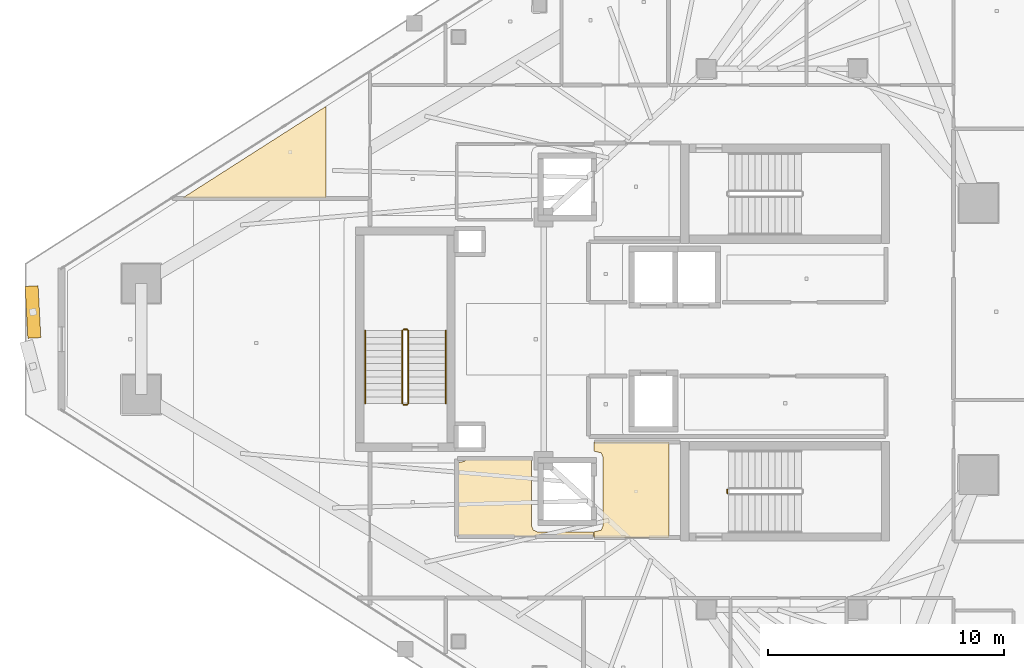
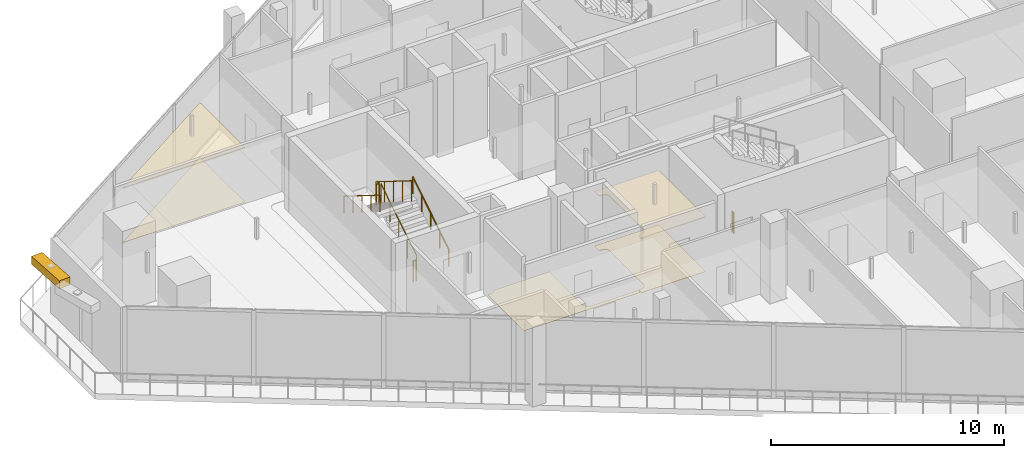
# One storey, part 32 of 36: 7 railings, 5 coverings, 1 shading device.
"""IFC4 building model written with IfcOpenShell, lengths in metres."""

from ifc_helpers import new_model, si_unit, direction, frame, origin, origin_2d, place, context, subcontext, project, spatial, polyline, rectangle, circle, outline, extrude, material, layer, layer_set, type_object, element, save


model = new_model("IFC4")

# Units and contexts
model_context = context("Model", 3, precision=1e-05, world=origin(), true_north=direction((0.0, 1.0)))
body_context = subcontext(model_context, "Body", "Model", "MODEL_VIEW")
ifc_project = project(units=[si_unit("LENGTHUNIT", "METRE"), si_unit("AREAUNIT", "SQUARE_METRE"), si_unit("VOLUMEUNIT", "CUBIC_METRE"), si_unit("PLANEANGLEUNIT", "RADIAN"), si_unit("MASSUNIT", "GRAM", prefix="KILO")], contexts=[model_context])

# Site, building, storey
site_placement = place(None, origin())
site = spatial("IfcSite", under=ifc_project, at=site_placement, CompositionType="ELEMENT")
building_placement = place(site_placement, origin())
building = spatial("IfcBuilding", under=site, at=building_placement, Name="Qorvath Tower", CompositionType="ELEMENT")
storey_placement = place(building_placement, frame((0.0, 0.0, 272.39990234375)))
storey = spatial("IfcBuildingStorey", under=building, at=storey_placement, Name="L63", CompositionType="ELEMENT", Elevation=272.39990234375)

# Coverings
ifc_material_1 = material(Name="Acoustic mineral fibre ceiling tile", Category="gypsum")
ifc_layer_1 = layer(ifc_material_1, 0.030029296875)
ifc_layer_set_1 = layer_set([ifc_layer_1], Name="COV-CEIL")
covering_type_1 = type_object("IfcCoveringType", Name="COV-CEIL", PredefinedType="CEILING", material=ifc_layer_set_1)
covering_1_placement = place(storey_placement, frame((0.0, 0.0, 2.85009765625)))
element("IfcCovering", 1, at=covering_1_placement, inside=storey, type_object=covering_type_1, Name="L63 Suspended Acoustic Ceiling 002", PredefinedType="CEILING", context=body_context, shape_type="SweptSolid", body=[
    extrude(outline(polyline([(-25.18994140625, -8.39501953125), (-25.18994140625, -4.35498046875), (-28.375, -4.35498046875), (-28.375, -4.739990234375), (-28.063232421875, -4.813232421875), (-27.989990234375, -4.989990234375), (-27.989990234375, -7.909912109375), (-28.063232421875, -8.086669921875), (-28.375, -8.159912109375), (-28.375, -8.39501953125), (-25.18994140625, -8.39501953125)])), origin(), (0.0, 0.0, 1.0), 0.030029296875),
])
covering_2_placement = place(storey_placement, frame((0.0, 0.0, 2.85009765625)))
element("IfcCovering", 2, at=covering_2_placement, inside=storey, type_object=covering_type_1, Name="L63 Suspended Acoustic Ceiling 038", PredefinedType="CEILING", context=body_context, shape_type="SweptSolid", body=[
    extrude(outline(polyline([(-39.70654296875, 5.970703125), (-39.70654296875, 9.861328125), (-45.7939453125, 5.970703125), (-39.70654296875, 5.970703125)])), origin(), (0.0, 0.0, 1.0), 0.030029296875),
])
ifc_material_2 = material(Name="Low-VOC modular carpet tile", Category="textile")
ifc_layer_2 = layer(ifc_material_2, 0.014892578125)
ifc_layer_set_2 = layer_set([ifc_layer_2], Name="COV-FLOOR-CPT")
covering_type_2 = type_object("IfcCoveringType", Name="COV-FLOOR-CPT", PredefinedType="FLOORING", material=ifc_layer_set_2)
covering_3_placement = place(storey_placement, origin())
element("IfcCovering", 3, at=covering_3_placement, inside=storey, type_object=covering_type_2, Name="L63 Floor Finish 008", PredefinedType="FLOORING", context=body_context, shape_type="SweptSolid", body=[
    extrude(outline(polyline([(-33.786865234375, -5.054931640625), (-33.833251953125, -5.166748046875), (-34.175048828125, -5.239990234375), (-34.175048828125, -8.344970703125), (-28.39306640625, -8.344970703125), (-28.39306640625, -8.159912109375), (-30.760009765625, -8.159912109375), (-30.936767578125, -8.086669921875), (-31.010009765625, -7.909912109375), (-31.010009765625, -5.054931640625), (-33.786865234375, -5.054931640625)])), origin(), (0.0, 0.0, 1.0), 0.01513671875),
])
covering_4_placement = place(storey_placement, origin())
element("IfcCovering", 4, at=covering_4_placement, inside=storey, type_object=covering_type_2, Name="L63 Floor Finish 038", PredefinedType="FLOORING", context=body_context, shape_type="SweptSolid", body=[
    extrude(outline(polyline([(-39.70654296875, 5.970703125), (-39.70654296875, 9.861328125), (-45.7939453125, 5.970703125), (-39.70654296875, 5.970703125)])), origin(), (0.0, 0.0, 1.0), 0.01513671875),
])
ifc_material_3 = material(Name="Polished epoxy terrazzo flooring", Category="concrete")
ifc_layer_3 = layer(ifc_material_3, 0.02001953125)
ifc_layer_set_3 = layer_set([ifc_layer_3], Name="COV-FLOOR-TRZ")
covering_type_3 = type_object("IfcCoveringType", Name="COV-FLOOR-TRZ", PredefinedType="FLOORING", material=ifc_layer_set_3)
covering_5_placement = place(storey_placement, origin())
element("IfcCovering", 5, at=covering_5_placement, inside=storey, type_object=covering_type_3, Name="L63 Floor Finish 002", PredefinedType="FLOORING", context=body_context, shape_type="SweptSolid", body=[
    extrude(outline(polyline([(-25.18994140625, -8.39501953125), (-25.18994140625, -4.35498046875), (-28.375, -4.35498046875), (-28.375, -4.739990234375), (-28.063232421875, -4.813232421875), (-27.989990234375, -4.989990234375), (-27.989990234375, -7.909912109375), (-28.063232421875, -8.086669921875), (-28.375, -8.159912109375), (-28.375, -8.39501953125), (-25.18994140625, -8.39501953125)])), origin(), (0.0, 0.0, 1.0), 0.01513671875),
])

# Railings
ifc_material_4 = material(Name="Painted galvanised steel", Category="steel")
railing_type_1 = type_object("IfcRailingType", Name="RL-STR-GRD", PredefinedType="GUARDRAIL", material=ifc_material_4)
railing_1_placement = place(storey_placement, frame((-22.719970703125, -6.52001953125, 0.0)))
element("IfcRailing", 6, at=railing_1_placement, inside=storey, type_object=railing_type_1, Name="L63 TS2 stair guard 4", PredefinedType="GUARDRAIL", context=body_context, shape_type="SweptSolid", body=[
    extrude(circle(Radius=0.02392578125, at=origin_2d()), frame((0.0, 0.0, 1.076171875), z_axis=(0.0, 1.0, 0.0), x_axis=(-1.0, 0.0, 0.0)), (0.0, 0.0, 1.0), 0.14990234375),
    extrude(circle(Radius=0.02099609375, at=origin_2d()), origin(), (0.0, 0.0, 1.0), 1.052001953125),
    extrude(circle(Radius=0.02099609375, at=origin_2d()), frame((0.0, 0.14990234375, 0.0)), (0.0, 0.0, 1.0), 1.052001953125),
])
railing_2_placement = place(storey_placement, frame((-36.22998046875, -2.719970703125, 0.175048828125)))
element("IfcRailing", 7, at=railing_2_placement, inside=storey, type_object=railing_type_1, Name="L63 TS3 stair guard 1", PredefinedType="GUARDRAIL", context=body_context, shape_type="SweptSolid", body=[
    extrude(circle(Radius=0.02392578125, at=origin_2d()), frame((0.0, 0.0, 1.076171875), z_axis=(0.0, 0.847998304005, 0.529998940003), x_axis=(-1.0, 0.0, 0.0)), (0.0, 0.0, 1.0), 3.632080078125),
    extrude(circle(Radius=0.02099609375, at=origin_2d()), origin(), (0.0, 0.0, 1.0), 1.052001953125),
    extrude(circle(Radius=0.02099609375, at=origin_2d()), frame((0.0, 0.77001953125, 0.481201171875)), (0.0, 0.0, 1.0), 1.052001953125),
    extrude(circle(Radius=0.02099609375, at=origin_2d()), frame((0.0, 1.5400390625, 0.96240234375)), (0.0, 0.0, 1.0), 1.052001953125),
    extrude(circle(Radius=0.02099609375, at=origin_2d()), frame((0.0, 2.31005859375, 1.44384765625)), (0.0, 0.0, 1.0), 1.052001953125),
    extrude(circle(Radius=0.02099609375, at=origin_2d()), frame((0.0, 3.080078125, 1.925048828125)), (0.0, 0.0, 1.0), 1.052001953125),
])
railing_3_placement = place(storey_placement, frame((-36.280029296875, 0.409912109375, 2.10009765625)))
element("IfcRailing", 8, at=railing_3_placement, inside=storey, type_object=railing_type_1, Name="L63 TS3 stair guard 2", PredefinedType="GUARDRAIL", context=body_context, shape_type="SweptSolid", body=[
    extrude(circle(Radius=0.02392578125, at=origin_2d()), frame((0.0, 0.0, 1.076171875), z_axis=(-1.0, 0.0, 0.0), x_axis=(0.0, -1.0, 0.0)), (0.0, 0.0, 1.0), 0.14990234375),
    extrude(circle(Radius=0.02099609375, at=origin_2d()), origin(), (0.0, 0.0, 1.0), 1.052001953125),
    extrude(circle(Radius=0.02099609375, at=origin_2d()), frame((-0.14990234375, 0.0, 0.0)), (0.0, 0.0, 1.0), 1.052001953125),
])
railing_4_placement = place(storey_placement, frame((-36.47998046875, 0.360107421875, 2.275146484375)))
element("IfcRailing", 9, at=railing_4_placement, inside=storey, type_object=railing_type_1, Name="L63 TS3 stair guard 3", PredefinedType="GUARDRAIL", context=body_context, shape_type="SweptSolid", body=[
    extrude(circle(Radius=0.02392578125, at=origin_2d()), frame((0.0, 0.0, 1.076171875), z_axis=(0.0, -0.847998304005, 0.529998940003), x_axis=(1.0, 0.0, 0.0)), (0.0, 0.0, 1.0), 3.632080078125),
    extrude(circle(Radius=0.02099609375, at=origin_2d()), origin(), (0.0, 0.0, 1.0), 1.052001953125),
    extrude(circle(Radius=0.02099609375, at=origin_2d()), frame((0.0, -0.77001953125, 0.481201171875)), (0.0, 0.0, 1.0), 1.052001953125),
    extrude(circle(Radius=0.02099609375, at=origin_2d()), frame((0.0, -1.5400390625, 0.96240234375)), (0.0, 0.0, 1.0), 1.052001953125),
    extrude(circle(Radius=0.02099609375, at=origin_2d()), frame((0.0, -2.31005859375, 1.44384765625)), (0.0, 0.0, 1.0), 1.052001953125),
    extrude(circle(Radius=0.02099609375, at=origin_2d()), frame((0.0, -3.080078125, 1.925048828125)), (0.0, 0.0, 1.0), 1.052001953125),
])
railing_5_placement = place(storey_placement, frame((-36.280029296875, -2.77001953125, 0.0)))
element("IfcRailing", 10, at=railing_5_placement, inside=storey, type_object=railing_type_1, Name="L63 TS3 stair guard 4", PredefinedType="GUARDRAIL", context=body_context, shape_type="SweptSolid", body=[
    extrude(circle(Radius=0.02392578125, at=origin_2d()), frame((0.0, 0.0, 1.076171875), z_axis=(-1.0, 0.0, 0.0), x_axis=(0.0, -1.0, 0.0)), (0.0, 0.0, 1.0), 0.14990234375),
    extrude(circle(Radius=0.02099609375, at=origin_2d()), origin(), (0.0, 0.0, 1.0), 1.052001953125),
    extrude(circle(Radius=0.02099609375, at=origin_2d()), frame((-0.14990234375, 0.0, 0.0)), (0.0, 0.0, 1.0), 1.052001953125),
])
ifc_material_5 = material(Name="Brushed stainless steel AISI 304", Category="steel")
railing_type_2 = type_object("IfcRailingType", Name="RL-STR-HND", PredefinedType="HANDRAIL", material=ifc_material_5)
railing_6_placement = place(storey_placement, frame((-34.64990234375, -2.719970703125, 0.175048828125)))
element("IfcRailing", 11, at=railing_6_placement, inside=storey, type_object=railing_type_2, Name="L63 TS3 stair handrail 1", PredefinedType="HANDRAIL", context=body_context, shape_type="SweptSolid", body=[
    extrude(circle(Radius=0.02392578125, at=origin_2d()), frame((0.0, 0.0, 0.8759765625), z_axis=(0.0, 0.847998304005, 0.529998940003), x_axis=(-1.0, 0.0, 0.0)), (0.0, 0.0, 1.0), 3.632080078125),
    extrude(circle(Radius=0.02099609375, at=origin_2d()), origin(), (0.0, 0.0, 1.0), 0.851806640625),
    extrude(circle(Radius=0.02099609375, at=origin_2d()), frame((0.0, 0.77001953125, 0.481201171875)), (0.0, 0.0, 1.0), 0.851806640625),
    extrude(circle(Radius=0.02099609375, at=origin_2d()), frame((0.0, 1.5400390625, 0.96240234375)), (0.0, 0.0, 1.0), 0.851806640625),
    extrude(circle(Radius=0.02099609375, at=origin_2d()), frame((0.0, 2.31005859375, 1.44384765625)), (0.0, 0.0, 1.0), 0.851806640625),
    extrude(circle(Radius=0.02099609375, at=origin_2d()), frame((0.0, 3.080078125, 1.925048828125)), (0.0, 0.0, 1.0), 0.851806640625),
])
railing_7_placement = place(storey_placement, frame((-38.06005859375, 0.360107421875, 2.275146484375)))
element("IfcRailing", 12, at=railing_7_placement, inside=storey, type_object=railing_type_2, Name="L63 TS3 stair handrail 2", PredefinedType="HANDRAIL", context=body_context, shape_type="SweptSolid", body=[
    extrude(circle(Radius=0.02392578125, at=origin_2d()), frame((0.0, 0.0, 0.8759765625), z_axis=(0.0, -0.847998304005, 0.529998940003), x_axis=(1.0, 0.0, 0.0)), (0.0, 0.0, 1.0), 3.632080078125),
    extrude(circle(Radius=0.02099609375, at=origin_2d()), origin(), (0.0, 0.0, 1.0), 0.851806640625),
    extrude(circle(Radius=0.02099609375, at=origin_2d()), frame((0.0, -0.77001953125, 0.481201171875)), (0.0, 0.0, 1.0), 0.851806640625),
    extrude(circle(Radius=0.02099609375, at=origin_2d()), frame((0.0, -1.5400390625, 0.96240234375)), (0.0, 0.0, 1.0), 0.851806640625),
    extrude(circle(Radius=0.02099609375, at=origin_2d()), frame((0.0, -2.31005859375, 1.44384765625)), (0.0, 0.0, 1.0), 0.851806640625),
    extrude(circle(Radius=0.02099609375, at=origin_2d()), frame((0.0, -3.080078125, 1.925048828125)), (0.0, 0.0, 1.0), 0.851806640625),
])

# Shading device
ifc_material_6 = material(Name="Anodised bronze-champagne aluminium", Category="aluminium")
shading_device_type = type_object("IfcShadingDeviceType", Name="SD-LOUVRE", PredefinedType="JALOUSIE", material=ifc_material_6)
shading_device_placement = place(storey_placement, frame((-52.121337890625, 1.14892578125, 3.490234375), z_axis=(0.0, 0.0, 1.0), x_axis=(0.052829201106, -0.998603562737, 0.0)))
element("IfcShadingDevice", 13, at=shading_device_placement, inside=storey, type_object=shading_device_type, Name="Sinusoidal Wave Louvre Blade L63-01", PredefinedType="NOTDEFINED", context=body_context, shape_type="SweptSolid", body=[
    extrude(rectangle(XDim=2.199951171875, YDim=0.550048828125, at=origin_2d()), origin(), (0.0, 0.0, 1.0), 0.419921875),
])

save(model, "model.ifc")
